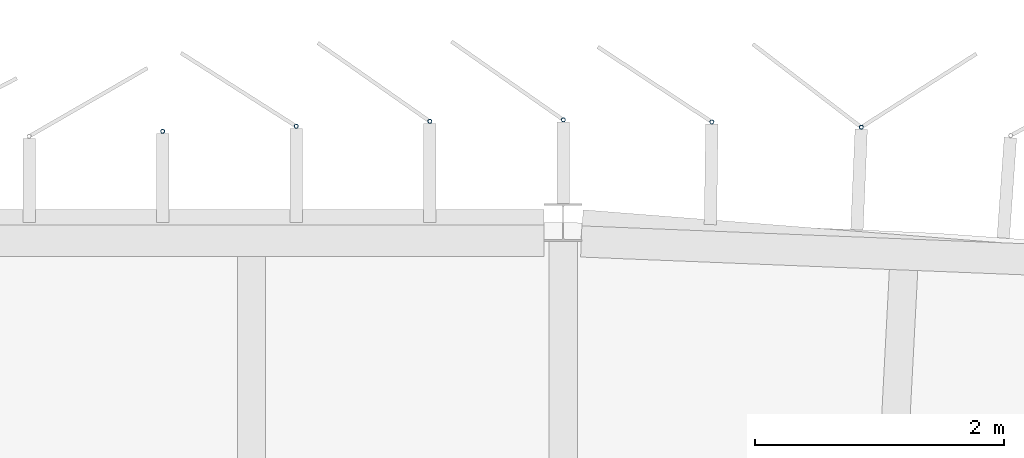
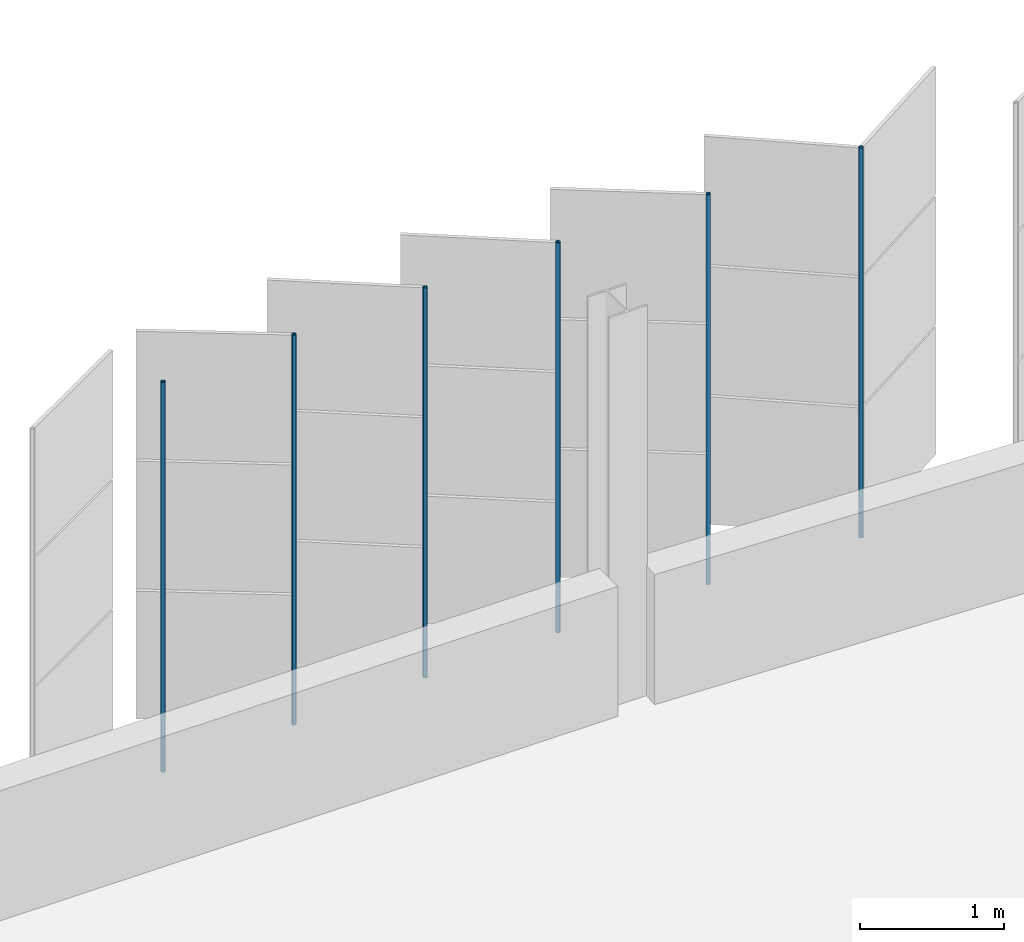
# One storey, part 156 of 199: 6 discrete accessories.
"""IFC4 building model written with IfcOpenShell, lengths in metres."""

from ifc_helpers import new_model, si_unit, direction, frame, origin, origin_2d, place, context, subcontext, project, spatial, hollow_circle, extrude, material, material_profile, profile_set, type_object, element, save


model = new_model("IFC4")

# Units and contexts
model_context = context("Model", 3, precision=1e-05, world=origin(), true_north=direction((0.0, 1.0)))
body_context = subcontext(model_context, "Body", "Model", "MODEL_VIEW")
ifc_project = project(units=[si_unit("LENGTHUNIT", "METRE"), si_unit("AREAUNIT", "SQUARE_METRE"), si_unit("VOLUMEUNIT", "CUBIC_METRE"), si_unit("PLANEANGLEUNIT", "RADIAN"), si_unit("MASSUNIT", "GRAM", prefix="KILO")], contexts=[model_context])

# Site, building, storey
site_placement = place(None, origin())
site = spatial("IfcSite", under=ifc_project, at=site_placement, CompositionType="ELEMENT")
building_placement = place(site_placement, origin())
building = spatial("IfcBuilding", under=site, at=building_placement, Name="Parallax Yard Mobility Hub", CompositionType="ELEMENT")
storey_placement = place(building_placement, frame((0.0, 0.0, 9.89990234375)))
storey = spatial("IfcBuildingStorey", under=building, at=storey_placement, Name="L03", CompositionType="ELEMENT", Elevation=9.89990234375)

# Discrete accessories
ifc_material = material(Name="Steel ASTM A500 Gr C, hot-dip galvanised", Category="steel")
ifc_material_profile = material_profile(ifc_material, hollow_circle(Radius=0.016845703125, WallThickness=0.003173828125, at=origin_2d()), Name="CHS 33.7x3.2")
ifc_profile_set = profile_set([ifc_material_profile], Name="Steel ASTM A500 Gr C, hot-dip galvanised")
discrete_accessory_type = type_object("IfcDiscreteAccessoryType", Name="Hinge post CHS 33.7x3.2", PredefinedType="BRACKET", material=ifc_profile_set)
for number, where, z_axis, x_axis, name in (
    (1, (174.892578125, 143.264892578125, 0.0), (0.0, 0.0, 1.0), (1.0, 0.0, 0.0), "Hinge post bay 50.6 level L03"),
    (2, (173.69384765625, 143.306884765625, 0.0), (0.0, 0.0, 1.0), (1.0, 0.0, 0.0), "Hinge post bay 50.7 level L03"),
    (3, (172.501953125, 143.32373046875, 0.0), (0.0, 0.0, 1.0), (1.0, 0.0, 0.0), "Hinge post bay 51.1 level L03"),
    (4, (171.430419921875, 143.311767578125, 0.0), (0.0, 0.0, 1.0), (1.0, 0.0, 0.0), "Hinge post bay 51.2 level L03"),
    (5, (170.35888671875, 143.271728515625, 0.0), (0.0, 0.0, 1.0), (1.0, 0.0, 0.0), "Hinge post bay 51.3 level L03"),
    (6, (169.287109375, 143.231689453125, 0.0), (0.0, 0.0, 1.0), (1.0, 0.0, 0.0), "Hinge post bay 51.4 level L03"),
):
    element("IfcDiscreteAccessory", number, at=place(storey_placement, frame(where, z_axis=z_axis, x_axis=x_axis)), inside=storey, type_object=discrete_accessory_type, Name=name, PredefinedType="BRACKET", context=body_context, shape_type="SweptSolid", body=[
        extrude(hollow_circle(Radius=0.016845703125, WallThickness=0.003173828125, at=origin_2d()), origin(), (0.0, 0.0, 1.0), 3.300048828125),
    ])

save(model, "model.ifc")
